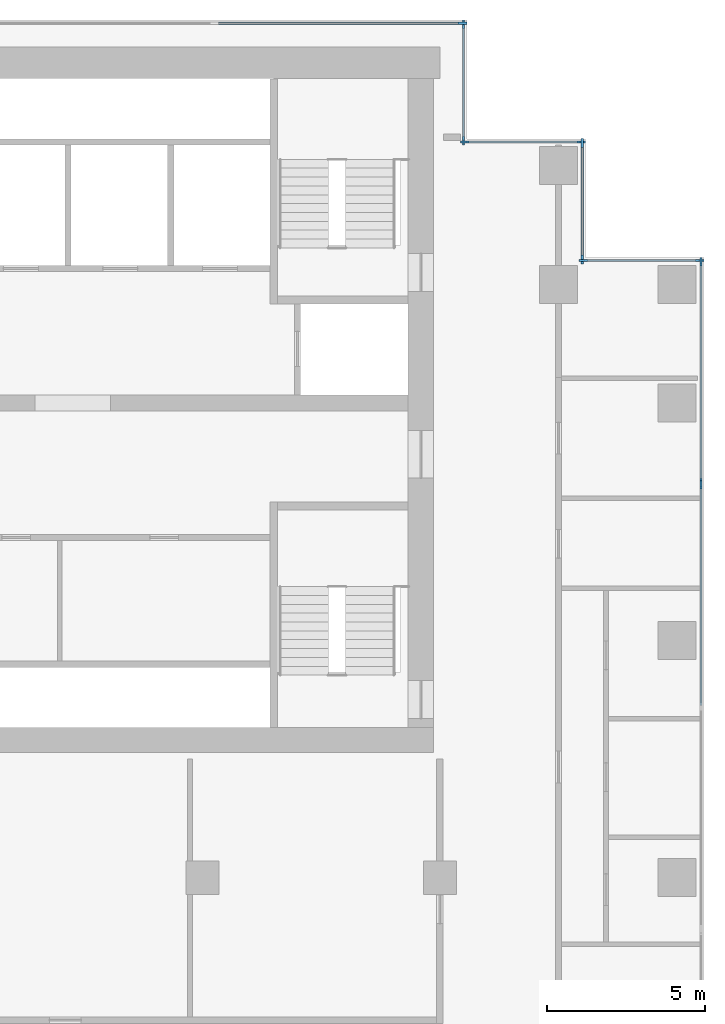
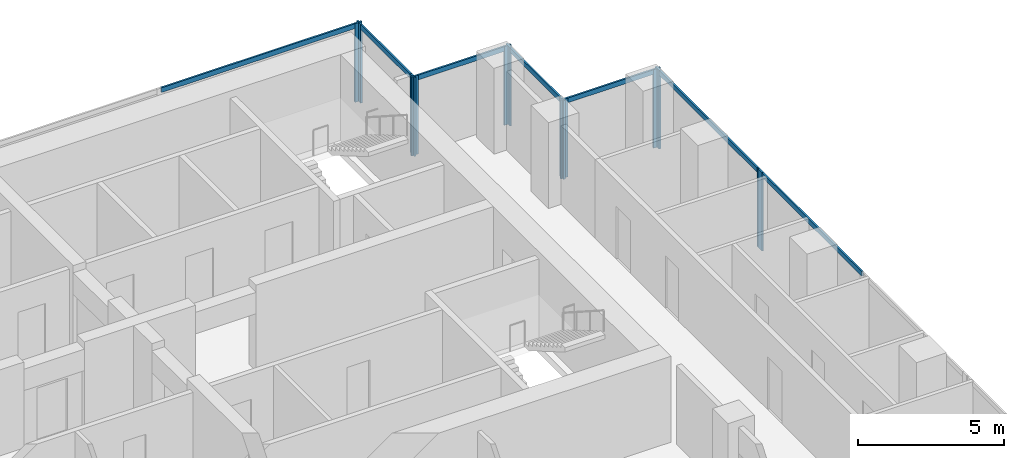
# One storey, part 5 of 10: 19 members, 7 elements without a shape of their own.
"""IFC4 building model written with IfcOpenShell, lengths in metres."""

from ifc_helpers import new_model, si_unit, direction, frame, origin, origin_2d, place, context, subcontext, project, spatial, rectangle, extrude, material, material_profile, profile_set, type_object, element, aggregate, save


model = new_model("IFC4")

# Units and contexts
model_context = context("Model", 3, precision=1e-05, world=origin(), true_north=direction((0.0, 1.0)))
body_context = subcontext(model_context, "Body", "Model", "MODEL_VIEW")
ifc_project = project(units=[si_unit("LENGTHUNIT", "METRE"), si_unit("AREAUNIT", "SQUARE_METRE"), si_unit("VOLUMEUNIT", "CUBIC_METRE"), si_unit("PLANEANGLEUNIT", "RADIAN"), si_unit("MASSUNIT", "GRAM", prefix="KILO")], contexts=[model_context])

# Site, building, storey
site_placement = place(None, origin())
site = spatial("IfcSite", under=ifc_project, at=site_placement, CompositionType="ELEMENT")
building_placement = place(site_placement, origin())
building = spatial("IfcBuilding", under=site, at=building_placement, Name="Pilkhan Gate Tower", CompositionType="ELEMENT")
storey_placement = place(building_placement, frame((0.0, 0.0, 165.699951171875)))
storey = spatial("IfcBuildingStorey", under=building, at=storey_placement, Name="L42", CompositionType="ELEMENT", Elevation=165.699951171875)

# Curtain wall, member
ifc_material_1 = material(Name="Pale anodised aluminium, clear low-iron double glazing", Category="aluminium")
curtain_wall_type = type_object("IfcCurtainWallType", Name="Office unitised curtain wall CW-O1", PredefinedType="USERDEFINED", material=ifc_material_1)
curtain_wall_1_placement = place(storey_placement, origin())
curtain_wall_1 = element("IfcCurtainWall", 1, at=curtain_wall_1_placement, inside=storey, type_object=curtain_wall_type, Name="Office unitised curtain wall CW-O1 L42 E", ObjectType="UNITISED CURTAIN WALL", PredefinedType="USERDEFINED")
ifc_material_2 = material(Name="Pale anodised aluminium", Category="aluminium")
ifc_material_profile_1 = material_profile(ifc_material_2, rectangle(XDim=0.070068359375, YDim=0.27490234375, at=origin_2d()), Name="Mullion 275x70")
ifc_profile_set_1 = profile_set([ifc_material_profile_1], Name="Pale anodised aluminium")
member_type_1 = type_object("IfcMemberType", Name="Mullion CW-O1 275x70", PredefinedType="MULLION", material=ifc_profile_set_1)
member_1_placement = place(storey_placement, frame((98.25, 79.9150390625, 0.0), z_axis=(0.0, 0.0, 1.0), x_axis=(-1.0, 0.0, 0.0)))
member_1 = element("IfcMember", 2, at=member_1_placement, type_object=member_type_1, Name="CW-O1 mullion 3", PredefinedType="MULLION", context=body_context, shape_type="SweptSolid", body=[
    extrude(rectangle(XDim=0.070068359375, YDim=0.27490234375, at=origin_2d()), origin(), (0.0, 0.0, 1.0), 3.300048828125),
])

# Curtain wall, members
curtain_wall_2_placement = place(storey_placement, origin())
curtain_wall_2 = element("IfcCurtainWall", 3, at=curtain_wall_2_placement, inside=storey, type_object=curtain_wall_type, Name="Office unitised curtain wall CW-O1 L42 E", ObjectType="UNITISED CURTAIN WALL", PredefinedType="USERDEFINED")
member_2_placement = place(storey_placement, frame((98.25, 79.985107421875, 0.0), z_axis=(0.0, 0.0, 1.0), x_axis=(-1.0, 0.0, 0.0)))
member_2 = element("IfcMember", 4, at=member_2_placement, type_object=member_type_1, Name="CW-O1 mullion 1", PredefinedType="MULLION", context=body_context, shape_type="SweptSolid", body=[
    extrude(rectangle(XDim=0.070068359375, YDim=0.27490234375, at=origin_2d()), origin(), (0.0, 0.0, 1.0), 3.300048828125),
])
member_3_placement = place(storey_placement, frame((98.25, 86.965087890625, 0.0), z_axis=(0.0, 0.0, 1.0), x_axis=(-1.0, 0.0, 0.0)))
member_3 = element("IfcMember", 5, at=member_3_placement, type_object=member_type_1, Name="CW-O1 mullion 2", PredefinedType="MULLION", context=body_context, shape_type="SweptSolid", body=[
    extrude(rectangle(XDim=0.070068359375, YDim=0.27490234375, at=origin_2d()), origin(), (0.0, 0.0, 1.0), 3.300048828125),
])

curtain_wall_3_placement = place(storey_placement, origin())
curtain_wall_3 = element("IfcCurtainWall", 6, at=curtain_wall_3_placement, inside=storey, type_object=curtain_wall_type, Name="Office unitised curtain wall CW-O1 L42 N", ObjectType="UNITISED CURTAIN WALL", PredefinedType="USERDEFINED")
member_4_placement = place(storey_placement, frame((94.534912109375, 87.0, 0.0), z_axis=(0.0, 0.0, 1.0), x_axis=(0.0, 1.0, 0.0)))
member_4 = element("IfcMember", 7, at=member_4_placement, type_object=member_type_1, Name="CW-O1 mullion 1", PredefinedType="MULLION", context=body_context, shape_type="SweptSolid", body=[
    extrude(rectangle(XDim=0.070068359375, YDim=0.27490234375, at=origin_2d()), origin(), (0.0, 0.0, 1.0), 3.300048828125),
])
member_5_placement = place(storey_placement, frame((98.215087890625, 87.0, 0.0), z_axis=(0.0, 0.0, 1.0), x_axis=(0.0, 1.0, 0.0)))
member_5 = element("IfcMember", 8, at=member_5_placement, type_object=member_type_1, Name="CW-O1 mullion 2", PredefinedType="MULLION", context=body_context, shape_type="SweptSolid", body=[
    extrude(rectangle(XDim=0.070068359375, YDim=0.27490234375, at=origin_2d()), origin(), (0.0, 0.0, 1.0), 3.300048828125),
])

curtain_wall_4_placement = place(storey_placement, origin())
curtain_wall_4 = element("IfcCurtainWall", 9, at=curtain_wall_4_placement, inside=storey, type_object=curtain_wall_type, Name="Office unitised curtain wall CW-O1 L42 E", ObjectType="UNITISED CURTAIN WALL", PredefinedType="USERDEFINED")
member_6_placement = place(storey_placement, frame((94.5, 87.034912109375, 0.0), z_axis=(0.0, 0.0, 1.0), x_axis=(-1.0, 0.0, 0.0)))
member_6 = element("IfcMember", 10, at=member_6_placement, type_object=member_type_1, Name="CW-O1 mullion 1", PredefinedType="MULLION", context=body_context, shape_type="SweptSolid", body=[
    extrude(rectangle(XDim=0.070068359375, YDim=0.27490234375, at=origin_2d()), origin(), (0.0, 0.0, 1.0), 3.300048828125),
])
member_7_placement = place(storey_placement, frame((94.5, 90.715087890625, 0.0), z_axis=(0.0, 0.0, 1.0), x_axis=(-1.0, 0.0, 0.0)))
member_7 = element("IfcMember", 11, at=member_7_placement, type_object=member_type_1, Name="CW-O1 mullion 2", PredefinedType="MULLION", context=body_context, shape_type="SweptSolid", body=[
    extrude(rectangle(XDim=0.070068359375, YDim=0.27490234375, at=origin_2d()), origin(), (0.0, 0.0, 1.0), 3.300048828125),
])

curtain_wall_5_placement = place(storey_placement, origin())
curtain_wall_5 = element("IfcCurtainWall", 12, at=curtain_wall_5_placement, inside=storey, type_object=curtain_wall_type, Name="Office unitised curtain wall CW-O1 L42 N", ObjectType="UNITISED CURTAIN WALL", PredefinedType="USERDEFINED")
member_8_placement = place(storey_placement, frame((90.784912109375, 90.75, 0.0), z_axis=(0.0, 0.0, 1.0), x_axis=(0.0, 1.0, 0.0)))
member_8 = element("IfcMember", 13, at=member_8_placement, type_object=member_type_1, Name="CW-O1 mullion 1", PredefinedType="MULLION", context=body_context, shape_type="SweptSolid", body=[
    extrude(rectangle(XDim=0.070068359375, YDim=0.27490234375, at=origin_2d()), origin(), (0.0, 0.0, 1.0), 3.300048828125),
])
member_9_placement = place(storey_placement, frame((94.465087890625, 90.75, 0.0), z_axis=(0.0, 0.0, 1.0), x_axis=(0.0, 1.0, 0.0)))
member_9 = element("IfcMember", 14, at=member_9_placement, type_object=member_type_1, Name="CW-O1 mullion 2", PredefinedType="MULLION", context=body_context, shape_type="SweptSolid", body=[
    extrude(rectangle(XDim=0.070068359375, YDim=0.27490234375, at=origin_2d()), origin(), (0.0, 0.0, 1.0), 3.300048828125),
])

curtain_wall_6_placement = place(storey_placement, origin())
curtain_wall_6 = element("IfcCurtainWall", 15, at=curtain_wall_6_placement, inside=storey, type_object=curtain_wall_type, Name="Office unitised curtain wall CW-O1 L42 E", ObjectType="UNITISED CURTAIN WALL", PredefinedType="USERDEFINED")
member_10_placement = place(storey_placement, frame((90.75, 90.784912109375, 0.0), z_axis=(0.0, 0.0, 1.0), x_axis=(-1.0, 0.0, 0.0)))
member_10 = element("IfcMember", 16, at=member_10_placement, type_object=member_type_1, Name="CW-O1 mullion 1", PredefinedType="MULLION", context=body_context, shape_type="SweptSolid", body=[
    extrude(rectangle(XDim=0.070068359375, YDim=0.27490234375, at=origin_2d()), origin(), (0.0, 0.0, 1.0), 3.300048828125),
])
member_11_placement = place(storey_placement, frame((90.75, 94.465087890625, 0.0), z_axis=(0.0, 0.0, 1.0), x_axis=(-1.0, 0.0, 0.0)))
member_11 = element("IfcMember", 17, at=member_11_placement, type_object=member_type_1, Name="CW-O1 mullion 2", PredefinedType="MULLION", context=body_context, shape_type="SweptSolid", body=[
    extrude(rectangle(XDim=0.070068359375, YDim=0.27490234375, at=origin_2d()), origin(), (0.0, 0.0, 1.0), 3.300048828125),
])

# Curtain wall, member
curtain_wall_7_placement = place(storey_placement, origin())
curtain_wall_7 = element("IfcCurtainWall", 18, at=curtain_wall_7_placement, inside=storey, type_object=curtain_wall_type, Name="Office unitised curtain wall CW-O1 L42 N", ObjectType="UNITISED CURTAIN WALL", PredefinedType="USERDEFINED")
member_12_placement = place(storey_placement, frame((90.715087890625, 94.5, 0.0), z_axis=(0.0, 0.0, 1.0), x_axis=(0.0, 1.0, 0.0)))
member_12 = element("IfcMember", 19, at=member_12_placement, type_object=member_type_1, Name="CW-O1 mullion 3", PredefinedType="MULLION", context=body_context, shape_type="SweptSolid", body=[
    extrude(rectangle(XDim=0.070068359375, YDim=0.27490234375, at=origin_2d()), origin(), (0.0, 0.0, 1.0), 3.300048828125),
])

# Member
ifc_material_profile_2 = material_profile(ifc_material_2, rectangle(XDim=0.070068359375, YDim=0.199951171875, at=origin_2d()), Name="Transom 200x70")
ifc_profile_set_2 = profile_set([ifc_material_profile_2], Name="Pale anodised aluminium")
member_type_2 = type_object("IfcMemberType", Name="Transom CW-O1 200x70", PredefinedType="USERDEFINED", material=ifc_profile_set_2)
member_13_placement = place(storey_placement, frame((98.25, 72.93505859375, 3.199951171875), z_axis=(0.0, 1.0, 0.0), x_axis=(-1.0, 0.0, 0.0)))
member_13 = element("IfcMember", 20, at=member_13_placement, type_object=member_type_2, Name="CW-O1 transom 2", ObjectType="TRANSOM", PredefinedType="USERDEFINED", context=body_context, shape_type="SweptSolid", body=[
    extrude(rectangle(XDim=0.070068359375, YDim=0.199951171875, at=origin_2d()), origin(), (0.0, 0.0, 1.0), 6.94482421875),
])

aggregate(curtain_wall_1, [member_1, member_13])

member_14_placement = place(storey_placement, frame((98.25, 80.02001953125, 3.199951171875), z_axis=(0.0, 1.0, 0.0), x_axis=(-1.0, 0.0, 0.0)))
member_14 = element("IfcMember", 21, at=member_14_placement, type_object=member_type_2, Name="CW-O1 transom 1", ObjectType="TRANSOM", PredefinedType="USERDEFINED", context=body_context, shape_type="SweptSolid", body=[
    extrude(rectangle(XDim=0.070068359375, YDim=0.199951171875, at=origin_2d()), origin(), (0.0, 0.0, 1.0), 6.909912109375),
])

aggregate(curtain_wall_2, [member_2, member_3, member_14])

member_15_placement = place(storey_placement, frame((94.570068359375, 87.0, 3.199951171875), z_axis=(1.0, 0.0, 0.0), x_axis=(0.0, 1.0, 0.0)))
member_15 = element("IfcMember", 22, at=member_15_placement, type_object=member_type_2, Name="CW-O1 transom 1", ObjectType="TRANSOM", PredefinedType="USERDEFINED", context=body_context, shape_type="SweptSolid", body=[
    extrude(rectangle(XDim=0.070068359375, YDim=0.199951171875, at=origin_2d()), origin(), (0.0, 0.0, 1.0), 3.60986328125),
])

aggregate(curtain_wall_3, [member_4, member_5, member_15])

member_16_placement = place(storey_placement, frame((94.5, 87.070068359375, 3.199951171875), z_axis=(0.0, 1.0, 0.0), x_axis=(-1.0, 0.0, 0.0)))
member_16 = element("IfcMember", 23, at=member_16_placement, type_object=member_type_2, Name="CW-O1 transom 1", ObjectType="TRANSOM", PredefinedType="USERDEFINED", context=body_context, shape_type="SweptSolid", body=[
    extrude(rectangle(XDim=0.070068359375, YDim=0.199951171875, at=origin_2d()), origin(), (0.0, 0.0, 1.0), 3.60986328125),
])

aggregate(curtain_wall_4, [member_6, member_7, member_16])

member_17_placement = place(storey_placement, frame((90.820068359375, 90.75, 3.199951171875), z_axis=(1.0, 0.0, 0.0), x_axis=(0.0, 1.0, 0.0)))
member_17 = element("IfcMember", 24, at=member_17_placement, type_object=member_type_2, Name="CW-O1 transom 1", ObjectType="TRANSOM", PredefinedType="USERDEFINED", context=body_context, shape_type="SweptSolid", body=[
    extrude(rectangle(XDim=0.070068359375, YDim=0.199951171875, at=origin_2d()), origin(), (0.0, 0.0, 1.0), 3.60986328125),
])

aggregate(curtain_wall_5, [member_8, member_9, member_17])

member_18_placement = place(storey_placement, frame((90.75, 90.820068359375, 3.199951171875), z_axis=(0.0, 1.0, 0.0), x_axis=(-1.0, 0.0, 0.0)))
member_18 = element("IfcMember", 25, at=member_18_placement, type_object=member_type_2, Name="CW-O1 transom 1", ObjectType="TRANSOM", PredefinedType="USERDEFINED", context=body_context, shape_type="SweptSolid", body=[
    extrude(rectangle(XDim=0.070068359375, YDim=0.199951171875, at=origin_2d()), origin(), (0.0, 0.0, 1.0), 3.60986328125),
])

aggregate(curtain_wall_6, [member_10, member_11, member_18])

member_19_placement = place(storey_placement, frame((82.909912109375, 94.5, 3.199951171875), z_axis=(1.0, 0.0, 0.0), x_axis=(0.0, 1.0, 0.0)))
member_19 = element("IfcMember", 26, at=member_19_placement, type_object=member_type_2, Name="CW-O1 transom 2", ObjectType="TRANSOM", PredefinedType="USERDEFINED", context=body_context, shape_type="SweptSolid", body=[
    extrude(rectangle(XDim=0.070068359375, YDim=0.199951171875, at=origin_2d()), origin(), (0.0, 0.0, 1.0), 7.77001953125),
])

aggregate(curtain_wall_7, [member_12, member_19])

save(model, "model.ifc")
